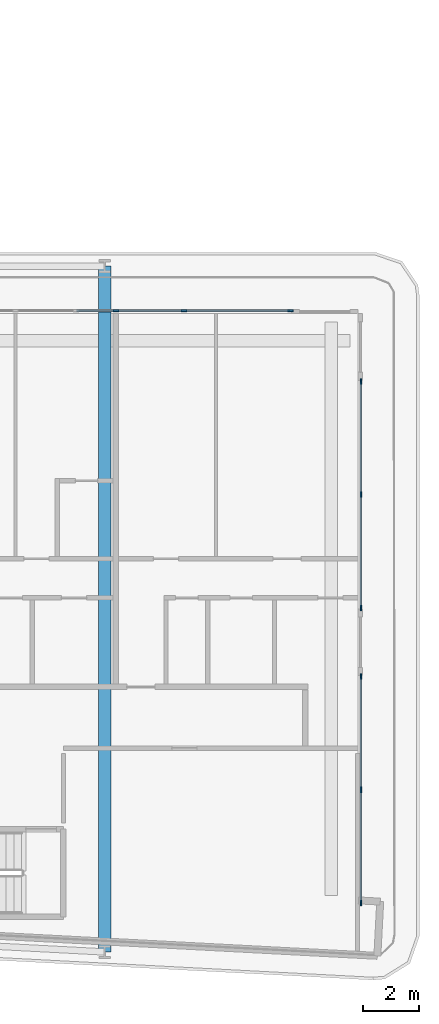
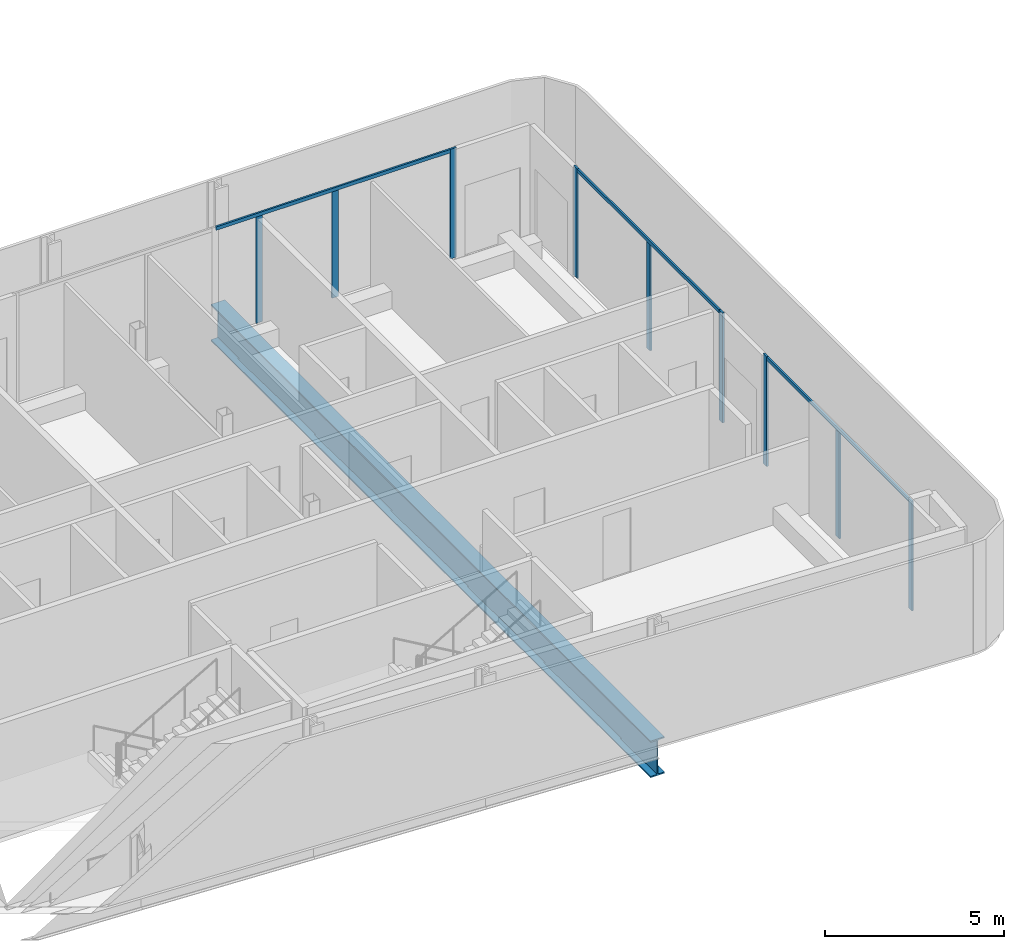
# One storey, part 8 of 28: 12 members, 1 beam, 3 elements without a shape of their own.
"""IFC4 building model written with IfcOpenShell, lengths in metres."""

from ifc_helpers import new_model, si_unit, direction, frame, origin, origin_2d, place, context, subcontext, project, spatial, rectangle, i_section, extrude, material, layer, layer_set, material_profile, profile_set, type_object, element, aggregate, save


model = new_model("IFC4")

# Units and contexts
model_context = context("Model", 3, precision=1e-05, world=origin(), true_north=direction((0.0, 1.0)))
body_context = subcontext(model_context, "Body", "Model", "MODEL_VIEW")
ifc_project = project(units=[si_unit("LENGTHUNIT", "METRE"), si_unit("AREAUNIT", "SQUARE_METRE"), si_unit("VOLUMEUNIT", "CUBIC_METRE"), si_unit("PLANEANGLEUNIT", "RADIAN"), si_unit("MASSUNIT", "GRAM", prefix="KILO")], contexts=[model_context])

# Site, building, storey
site_placement = place(None, origin())
site = spatial("IfcSite", under=ifc_project, at=site_placement, CompositionType="ELEMENT")
building_placement = place(site_placement, origin())
building = spatial("IfcBuilding", under=site, at=building_placement, Name="Kheshtan School and Residences Tower", CompositionType="ELEMENT")
storey_placement = place(building_placement, frame((0.0, 0.0, 77.300048828125)))
storey = spatial("IfcBuildingStorey", under=building, at=storey_placement, Name="L18", CompositionType="ELEMENT", Elevation=77.300048828125)

# Curtain wall, members
ifc_material_1 = material(Name="Clear low-e glass in thermally broken aluminium frame", Category="aluminium")
ifc_layer = layer(ifc_material_1, 0.199951171875)
ifc_layer_set = layer_set([ifc_layer], Name="Curtain wall CW-L")
curtain_wall_type = type_object("IfcCurtainWallType", Name="Curtain wall CW-L", PredefinedType="NOTDEFINED", material=ifc_layer_set)
curtain_wall_1_placement = place(storey_placement, origin())
curtain_wall_1 = element("IfcCurtainWall", 1, at=curtain_wall_1_placement, inside=storey, type_object=curtain_wall_type, Name="Curtain wall CWL12k", PredefinedType="NOTDEFINED")
ifc_material_2 = material(Name="Thermally broken aluminium, dark bronze anodised", Category="aluminium")
ifc_material_profile_1 = material_profile(ifc_material_2, rectangle(XDim=0.06005859375, YDim=0.199951171875, at=origin_2d()), Name="CW-L mullion 60x200")
ifc_profile_set_1 = profile_set([ifc_material_profile_1], Name="Thermally broken aluminium, dark bronze anodised")
member_type_1 = type_object("IfcMemberType", Name="CW-L mullion 60x200", PredefinedType="MULLION", material=ifc_profile_set_1)
member_1_placement = place(storey_placement, frame((91.199951171875, 44.0, 0.0), z_axis=(0.0, 0.0, 1.0), x_axis=(0.0, 1.0, 0.0)))
member_1 = element("IfcMember", 2, at=member_1_placement, type_object=member_type_1, Name="CWL12k mullion 2", PredefinedType="MULLION", context=body_context, shape_type="SweptSolid", body=[
    extrude(rectangle(XDim=0.06005859375, YDim=0.199951171875, at=origin_2d()), origin(), (0.0, 0.0, 1.0), 3.6298828125),
])
member_2_placement = place(storey_placement, frame((93.653076171875, 44.0, 0.0), z_axis=(0.0, 0.0, 1.0), x_axis=(0.0, 1.0, 0.0)))
member_2 = element("IfcMember", 3, at=member_2_placement, type_object=member_type_1, Name="CWL12k mullion 3", PredefinedType="MULLION", context=body_context, shape_type="SweptSolid", body=[
    extrude(rectangle(XDim=0.06005859375, YDim=0.199951171875, at=origin_2d()), origin(), (0.0, 0.0, 1.0), 3.6298828125),
])
member_3_placement = place(storey_placement, frame((97.469970703125, 44.0, 0.0), z_axis=(0.0, 0.0, 1.0), x_axis=(0.0, 1.0, 0.0)))
member_3 = element("IfcMember", 4, at=member_3_placement, type_object=member_type_1, Name="CWL12k mullion 4", PredefinedType="MULLION", context=body_context, shape_type="SweptSolid", body=[
    extrude(rectangle(XDim=0.06005859375, YDim=0.199951171875, at=origin_2d()), origin(), (0.0, 0.0, 1.0), 3.75),
])

curtain_wall_2_placement = place(storey_placement, origin())
curtain_wall_2 = element("IfcCurtainWall", 5, at=curtain_wall_2_placement, inside=storey, type_object=curtain_wall_type, Name="Curtain wall CWL13b", PredefinedType="NOTDEFINED")
member_4_placement = place(storey_placement, frame((100.0, 41.469970703125, 0.0), z_axis=(0.0, 0.0, 1.0), x_axis=(1.0, 0.0, 0.0)))
member_4 = element("IfcMember", 6, at=member_4_placement, type_object=member_type_1, Name="CWL13b mullion 1", PredefinedType="MULLION", context=body_context, shape_type="SweptSolid", body=[
    extrude(rectangle(XDim=0.06005859375, YDim=0.199951171875, at=origin_2d()), origin(), (0.0, 0.0, 1.0), 3.75),
])
member_5_placement = place(storey_placement, frame((100.0, 37.403564453125, 0.0), z_axis=(0.0, 0.0, 1.0), x_axis=(1.0, 0.0, 0.0)))
member_5 = element("IfcMember", 7, at=member_5_placement, type_object=member_type_1, Name="CWL13b mullion 2", PredefinedType="MULLION", context=body_context, shape_type="SweptSolid", body=[
    extrude(rectangle(XDim=0.06005859375, YDim=0.199951171875, at=origin_2d()), origin(), (0.0, 0.0, 1.0), 3.6298828125),
])
member_6_placement = place(storey_placement, frame((100.0, 33.3369140625, 0.0), z_axis=(0.0, 0.0, 1.0), x_axis=(1.0, 0.0, 0.0)))
member_6 = element("IfcMember", 8, at=member_6_placement, type_object=member_type_1, Name="CWL13b mullion 3", PredefinedType="MULLION", context=body_context, shape_type="SweptSolid", body=[
    extrude(rectangle(XDim=0.06005859375, YDim=0.199951171875, at=origin_2d()), origin(), (0.0, 0.0, 1.0), 3.75),
])

curtain_wall_3_placement = place(storey_placement, origin())
curtain_wall_3 = element("IfcCurtainWall", 9, at=curtain_wall_3_placement, inside=storey, type_object=curtain_wall_type, Name="Curtain wall CWL13b", PredefinedType="NOTDEFINED")
member_7_placement = place(storey_placement, frame((100.0, 30.876953125, 0.0), z_axis=(0.0, 0.0, 1.0), x_axis=(1.0, 0.0, 0.0)))
member_7 = element("IfcMember", 10, at=member_7_placement, type_object=member_type_1, Name="CWL13b mullion 1", PredefinedType="MULLION", context=body_context, shape_type="SweptSolid", body=[
    extrude(rectangle(XDim=0.06005859375, YDim=0.199951171875, at=origin_2d()), origin(), (0.0, 0.0, 1.0), 3.75),
])
member_8_placement = place(storey_placement, frame((100.0, 26.810546875, 0.0), z_axis=(0.0, 0.0, 1.0), x_axis=(1.0, 0.0, 0.0)))
member_8 = element("IfcMember", 11, at=member_8_placement, type_object=member_type_1, Name="CWL13b mullion 2", PredefinedType="MULLION", context=body_context, shape_type="SweptSolid", body=[
    extrude(rectangle(XDim=0.06005859375, YDim=0.199951171875, at=origin_2d()), origin(), (0.0, 0.0, 1.0), 3.6298828125),
])
member_9_placement = place(storey_placement, frame((100.0, 22.743896484375, 0.0), z_axis=(0.0, 0.0, 1.0), x_axis=(1.0, 0.0, 0.0)))
member_9 = element("IfcMember", 12, at=member_9_placement, type_object=member_type_1, Name="CWL13b mullion 3", PredefinedType="MULLION", context=body_context, shape_type="SweptSolid", body=[
    extrude(rectangle(XDim=0.06005859375, YDim=0.199951171875, at=origin_2d()), origin(), (0.0, 0.0, 1.0), 3.75),
])

# Member
ifc_material_profile_2 = material_profile(ifc_material_2, rectangle(XDim=0.06005859375, YDim=0.1201171875, at=origin_2d()), Name="CW-L transom 60x120")
ifc_profile_set_2 = profile_set([ifc_material_profile_2], Name="Thermally broken aluminium, dark bronze anodised")
member_type_2 = type_object("IfcMemberType", Name="CW-L transom 60x120", PredefinedType="USERDEFINED", material=ifc_profile_set_2)
member_10_placement = place(storey_placement, frame((89.805908203125, 44.0, 3.68994140625), z_axis=(1.0, 0.0, 0.0), x_axis=(0.0, 1.0, 0.0)))
member_10 = element("IfcMember", 13, at=member_10_placement, type_object=member_type_2, Name="CWL12k transom 1", ObjectType="TRANSOM", PredefinedType="USERDEFINED", context=body_context, shape_type="SweptSolid", body=[
    extrude(rectangle(XDim=0.06005859375, YDim=0.1201171875, at=origin_2d()), origin(), (0.0, 0.0, 1.0), 7.634033203125),
])

aggregate(curtain_wall_1, [member_1, member_2, member_3, member_10])

member_11_placement = place(storey_placement, frame((100.0, 41.43994140625, 3.68994140625), z_axis=(0.0, -1.0, 0.0), x_axis=(1.0, 0.0, 0.0)))
member_11 = element("IfcMember", 14, at=member_11_placement, type_object=member_type_2, Name="CWL13b transom 1", ObjectType="TRANSOM", PredefinedType="USERDEFINED", context=body_context, shape_type="SweptSolid", body=[
    extrude(rectangle(XDim=0.06005859375, YDim=0.1201171875, at=origin_2d()), origin(), (0.0, 0.0, 1.0), 8.072998046875),
])

aggregate(curtain_wall_2, [member_4, member_5, member_6, member_11])

member_12_placement = place(storey_placement, frame((100.0, 30.846923828125, 3.68994140625), z_axis=(0.0, -1.0, 0.0), x_axis=(1.0, 0.0, 0.0)))
member_12 = element("IfcMember", 15, at=member_12_placement, type_object=member_type_2, Name="CWL13b transom 1", ObjectType="TRANSOM", PredefinedType="USERDEFINED", context=body_context, shape_type="SweptSolid", body=[
    extrude(rectangle(XDim=0.06005859375, YDim=0.1201171875, at=origin_2d()), origin(), (0.0, 0.0, 1.0), 8.072998046875),
])

aggregate(curtain_wall_3, [member_7, member_8, member_9, member_12])

# Beam
ifc_material_3 = material(Name="Steel ASTM A992 Grade 50", Category="steel")
ifc_material_profile_3 = material_profile(ifc_material_3, i_section(OverallWidth=0.449951171875, OverallDepth=1.25, WebThickness=0.02490234375, FlangeThickness=0.044921875, FilletRadius=0.03759765625, at=origin_2d()), Name="WWF1250x546")
ifc_profile_set_3 = profile_set([ifc_material_profile_3], Name="Steel ASTM A992 Grade 50")
beam_type = type_object("IfcBeamType", Name="Transfer girder TG4 WWF1250x546 ASTM A992 Grade 50", PredefinedType="BEAM", material=ifc_profile_set_3)
beam_placement = place(storey_placement, frame((90.800048828125, 45.60009765625, -0.775146484375), z_axis=(0.0, -1.0, 0.0), x_axis=(1.0, 0.0, 0.0)))
element("IfcBeam", 16, at=beam_placement, inside=storey, type_object=beam_type, Name="Transfer girder C068-C006", PredefinedType="BEAM", context=body_context, shape_type="SweptSolid", body=[
    extrude(i_section(OverallWidth=0.449951171875, OverallDepth=1.25, WebThickness=0.02490234375, FlangeThickness=0.044921875, FilletRadius=0.03759765625, at=origin_2d()), origin(), (0.0, 0.0, 1.0), 24.610107421875),
])

save(model, "model.ifc")
